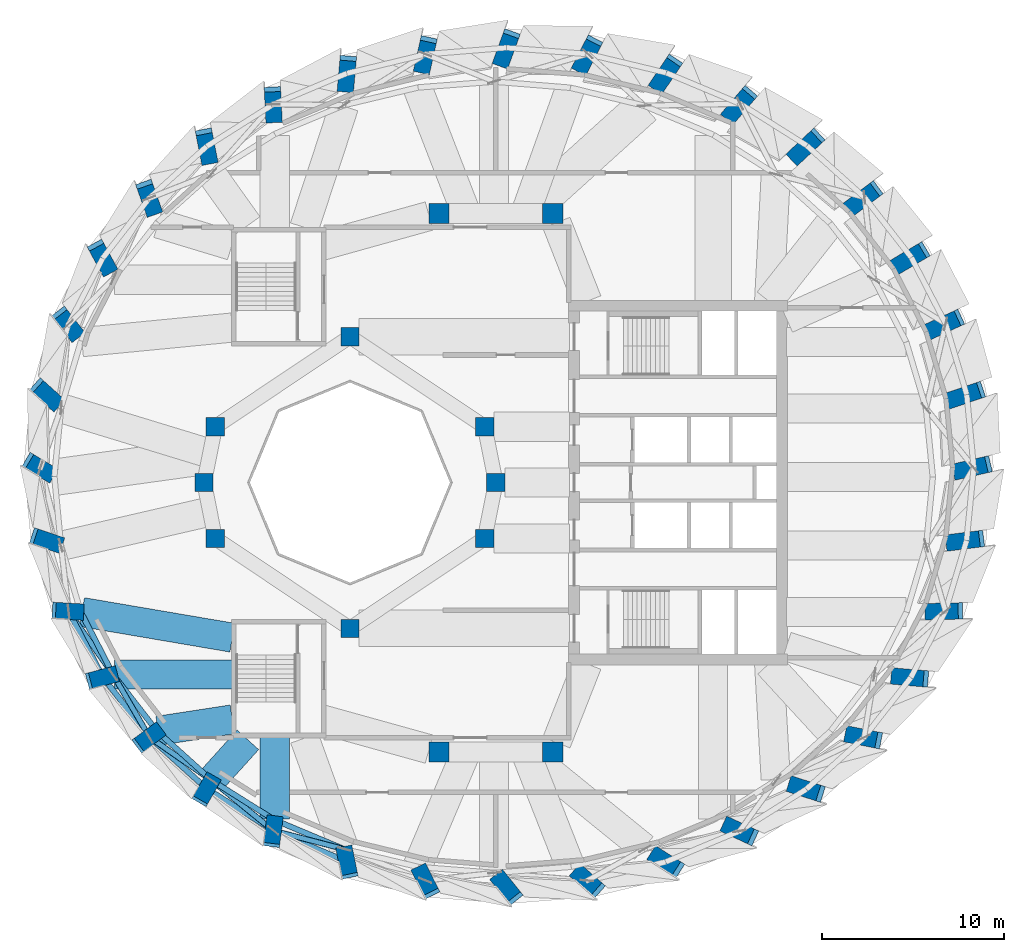
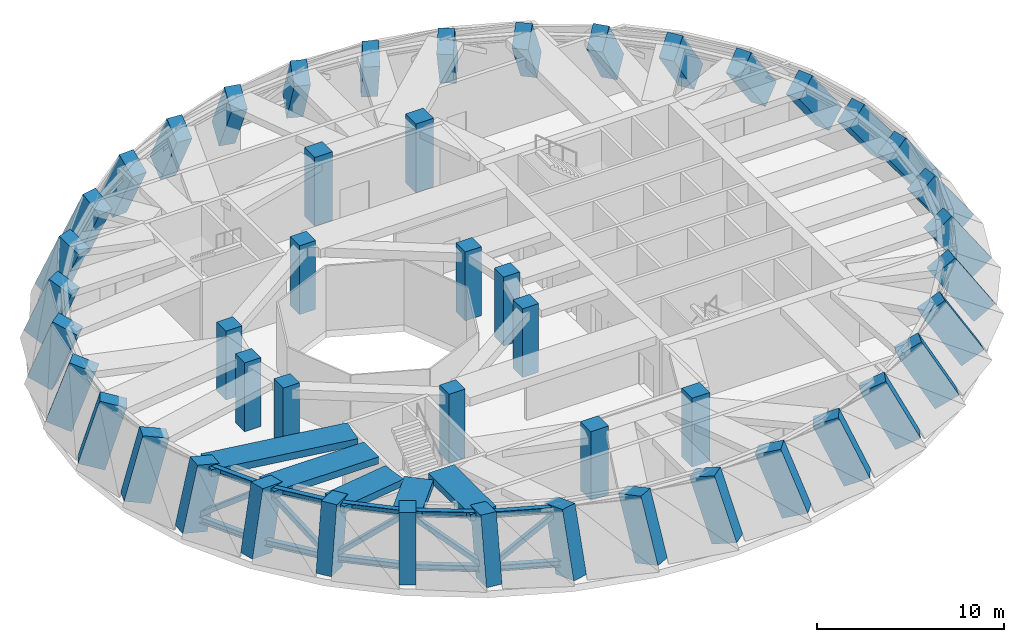
# One storey, part 1 of 14: 48 columns, 15 members, 5 beams.
"""IFC4 building model written with IfcOpenShell, lengths in metres."""

from ifc_helpers import new_model, si_unit, direction, frame, origin, origin_2d, place, context, subcontext, project, spatial, rectangle, hollow_rectangle, i_section, extrude, material, material_profile, profile_set, type_object, element, save


model = new_model("IFC4")

# Units and contexts
model_context = context("Model", 3, precision=1e-05, world=origin(), true_north=direction((0.0, 1.0)))
body_context = subcontext(model_context, "Body", "Model", "MODEL_VIEW")
ifc_project = project(units=[si_unit("LENGTHUNIT", "METRE"), si_unit("AREAUNIT", "SQUARE_METRE"), si_unit("VOLUMEUNIT", "CUBIC_METRE"), si_unit("PLANEANGLEUNIT", "RADIAN"), si_unit("MASSUNIT", "GRAM", prefix="KILO")], contexts=[model_context])

# Site, building, storey
site_placement = place(None, origin())
site = spatial("IfcSite", under=ifc_project, at=site_placement, CompositionType="ELEMENT")
building_placement = place(site_placement, origin())
building = spatial("IfcBuilding", under=site, at=building_placement, Name="Taillehof Tower", CompositionType="ELEMENT")
storey_placement = place(building_placement, frame((0.0, 0.0, 228.800048828125)))
storey = spatial("IfcBuildingStorey", under=building, at=storey_placement, Name="L65", CompositionType="ELEMENT", Elevation=228.800048828125)

# Columns
ifc_material_1 = material(Name="Concrete C50/60", Category="concrete")
ifc_material_profile_1 = material_profile(ifc_material_1, rectangle(XDim=1.0, YDim=1.0, at=origin_2d()), Name="RC 1000x1000")
ifc_profile_set_1 = profile_set([ifc_material_profile_1], Name="Concrete C50/60")
column_type_1 = type_object("IfcColumnType", Name="Atrium ring column C50/60 1000x1000", PredefinedType="COLUMN", material=ifc_profile_set_1)
for number, where, z_axis, x_axis, name in (
    (1, (0.0, 0.0, 0.0), (0.0, 0.0, 1.0), (1.0, 0.0, 0.0), "Column AC01"),
    (2, (-0.60888671875, 3.0615234375, 0.0), (0.0, 0.0, 1.0), (1.0, 0.0, 0.0), "Column AC02"),
    (3, (-8.0, 8.0, 0.0), (0.0, 0.0, 1.0), (1.0, 0.0, 0.0), "Column AC05"),
    (4, (-15.39111328125, 3.0615234375, 0.0), (0.0, 0.0, 1.0), (1.0, 0.0, 0.0), "Column AC08"),
    (5, (-16.0, 0.0, 0.0), (0.0, 0.0, 1.0), (1.0, 0.0, 0.0), "Column AC09"),
    (6, (-15.39111328125, -3.0615234375, 0.0), (0.0, 0.0, 1.0), (1.0, 0.0, 0.0), "Column AC10"),
    (7, (-8.0, -8.0, 0.0), (0.0, 0.0, 1.0), (1.0, 0.0, 0.0), "Column AC13"),
    (8, (-0.60888671875, -3.0615234375, 0.0), (0.0, 0.0, 1.0), (1.0, 0.0, 0.0), "Column AC16"),
):
    element("IfcColumn", number, at=place(storey_placement, frame(where, z_axis=z_axis, x_axis=x_axis)), inside=storey, type_object=column_type_1, Name=name, PredefinedType="COLUMN", context=body_context, shape_type="SweptSolid", body=[
        extrude(rectangle(XDim=1.0, YDim=1.0, at=origin_2d()), origin(), (0.0, 0.0, 1.0), 4.5),
    ])
ifc_material_2 = material(Name="Concrete C50/60", Category="concrete")
ifc_material_profile_2 = material_profile(ifc_material_2, rectangle(XDim=1.10009765625, YDim=1.10009765625, at=origin_2d()), Name="RC 1100x1100")
ifc_profile_set_2 = profile_set([ifc_material_profile_2], Name="Concrete C50/60")
column_type_2 = type_object("IfcColumnType", Name="Mid-ring column C50/60 1100x1100", PredefinedType="COLUMN", material=ifc_profile_set_2)
for number, where, z_axis, x_axis, name in (
    (9, (3.125732421875, 14.772216796875, 0.0), (0.0, 0.0, 1.0), (1.0, 0.0, 0.0), "Column MC05"),
    (10, (-3.125732421875, 14.772216796875, 0.0), (0.0, 0.0, 1.0), (1.0, 0.0, 0.0), "Column MC06"),
    (11, (-3.125732421875, -14.772216796875, 0.0), (0.0, 0.0, 1.0), (1.0, 0.0, 0.0), "Column MC14"),
    (12, (3.125732421875, -14.772216796875, 0.0), (0.0, 0.0, 1.0), (1.0, 0.0, 0.0), "Column MC15"),
):
    element("IfcColumn", number, at=place(storey_placement, frame(where, z_axis=z_axis, x_axis=x_axis)), inside=storey, type_object=column_type_2, Name=name, PredefinedType="COLUMN", context=body_context, shape_type="SweptSolid", body=[
        extrude(rectangle(XDim=1.10009765625, YDim=1.10009765625, at=origin_2d()), origin(), (0.0, 0.0, 1.0), 4.5),
    ])
ifc_material_3 = material(Name="Concrete C60/75", Category="concrete")
ifc_material_profile_3 = material_profile(ifc_material_3, rectangle(XDim=1.5, YDim=0.89990234375, at=origin_2d()), Name="RC 1500x900")
ifc_profile_set_3 = profile_set([ifc_material_profile_3], Name="Concrete C60/75")
column_type_3 = type_object("IfcColumnType", Name="Ring column C60/75 1500x900", PredefinedType="COLUMN", material=ifc_profile_set_3)
column_1_placement = place(storey_placement, frame((26.550048828125, 0.89990234375, 0.44580078125), z_axis=(-0.579388042956, -0.133667269628, 0.804016515197), x_axis=(0.783437770425, 0.180742403937, 0.59460696539)))
element("IfcColumn", 13, at=column_1_placement, inside=storey, type_object=column_type_3, Name="Ring column RC01", PredefinedType="COLUMN", context=body_context, shape_type="SweptSolid", body=[
    extrude(rectangle(XDim=1.5, YDim=0.89990234375, at=origin_2d()), origin(), (0.0, 0.0, 1.0), 4.487548828125),
])
column_2_placement = place(storey_placement, frame((26.1572265625, 4.937255859375, 0.452392578125), z_axis=(-0.570771694235, -0.1947351467, 0.797682829012), x_axis=(0.754952737094, 0.257573796133, 0.60307719597)))
element("IfcColumn", 14, at=column_2_placement, inside=storey, type_object=column_type_3, Name="Ring column RC02", PredefinedType="COLUMN", context=body_context, shape_type="SweptSolid", body=[
    extrude(rectangle(XDim=1.5, YDim=0.89990234375, at=origin_2d()), origin(), (0.0, 0.0, 1.0), 4.507080078125),
])
for number, where, z_axis, x_axis, name in (
    (15, (24.990966796875, 8.85205078125, 0.455322265625), (-0.551547474291, -0.253965858079, 0.794541834351), (0.72170742292, 0.332317803067, 0.607209414837), "Ring column RC03"),
    (16, (23.086669921875, 12.52490234375, 0.455322265625), (-0.522152846191, -0.309908334547, 0.794552219424), (0.683268371321, 0.405533675722, 0.607195825585), "Ring column RC04"),
):
    element("IfcColumn", number, at=place(storey_placement, frame(where, z_axis=z_axis, x_axis=x_axis)), inside=storey, type_object=column_type_3, Name=name, PredefinedType="COLUMN", context=body_context, shape_type="SweptSolid", body=[
        extrude(rectangle(XDim=1.5, YDim=0.89990234375, at=origin_2d()), origin(), (0.0, 0.0, 1.0), 4.51708984375),
    ])
column_3_placement = place(storey_placement, frame((20.502197265625, 15.8447265625, 0.452392578125), z_axis=(-0.483295497035, -0.361226015825, 0.797459232837), x_axis=(0.638756730742, 0.477421267822, 0.603372829984)))
element("IfcColumn", 17, at=column_3_placement, inside=storey, type_object=column_type_3, Name="Ring column RC05", PredefinedType="COLUMN", context=body_context, shape_type="SweptSolid", body=[
    extrude(rectangle(XDim=1.5, YDim=0.89990234375, at=origin_2d()), origin(), (0.0, 0.0, 1.0), 4.508056640625),
])
column_4_placement = place(storey_placement, frame((17.316162109375, 18.71044921875, 0.447021484375), z_axis=(-0.435800460888, -0.406551378059, 0.802990619676), x_axis=(0.587162040533, 0.54775420897, 0.595991664969)))
element("IfcColumn", 18, at=column_4_placement, inside=storey, type_object=column_type_3, Name="Ring column RC06", PredefinedType="COLUMN", context=body_context, shape_type="SweptSolid", body=[
    extrude(rectangle(XDim=1.5, YDim=0.89990234375, at=origin_2d()), origin(), (0.0, 0.0, 1.0), 4.49072265625),
])
column_5_placement = place(storey_placement, frame((13.625, 21.03515625, 0.438720703125), z_axis=(-0.380562477369, -0.444508779038, 0.810915622107), x_axis=(0.527381268549, 0.615997681619, 0.58516310019)))
element("IfcColumn", 19, at=column_5_placement, inside=storey, type_object=column_type_3, Name="Ring column RC07", PredefinedType="COLUMN", context=body_context, shape_type="SweptSolid", body=[
    extrude(rectangle(XDim=1.5, YDim=0.89990234375, at=origin_2d()), origin(), (0.0, 0.0, 1.0), 4.467041015625),
])
column_6_placement = place(storey_placement, frame((9.541259765625, 22.747802734375, 0.428466796875), z_axis=(-0.318968433634, -0.47391481707, 0.820770299479), x_axis=(0.458286187964, 0.680909431884, 0.57125836142)))
element("IfcColumn", 20, at=column_6_placement, inside=storey, type_object=column_type_3, Name="Ring column RC08", PredefinedType="COLUMN", context=body_context, shape_type="SweptSolid", body=[
    extrude(rectangle(XDim=1.5, YDim=0.89990234375, at=origin_2d()), origin(), (0.0, 0.0, 1.0), 4.4384765625),
])
column_7_placement = place(storey_placement, frame((5.188720703125, 23.796875, 0.415771484375), z_axis=(-0.252400241833, -0.49361223507, 0.832250610881), x_axis=(0.378896835448, 0.740998156137, 0.554399603796)))
element("IfcColumn", 21, at=column_7_placement, inside=storey, type_object=column_type_3, Name="Ring column RC09", PredefinedType="COLUMN", context=body_context, shape_type="SweptSolid", body=[
    extrude(rectangle(XDim=1.5, YDim=0.89990234375, at=origin_2d()), origin(), (0.0, 0.0, 1.0), 4.407958984375),
])
column_8_placement = place(storey_placement, frame((0.699951171875, 24.14990234375, 0.401123046875), z_axis=(-0.182808037354, -0.502680263839, 0.844922347808), x_axis=(0.28876757697, 0.794044747049, 0.534888984906)))
element("IfcColumn", 22, at=column_8_placement, inside=storey, type_object=column_type_3, Name="Ring column RC10", PredefinedType="COLUMN", context=body_context, shape_type="SweptSolid", body=[
    extrude(rectangle(XDim=1.5, YDim=0.89990234375, at=origin_2d()), origin(), (0.0, 0.0, 1.0), 4.37646484375),
])
column_9_placement = place(storey_placement, frame((-3.788818359375, 23.796875, 0.384765625), z_axis=(-0.112126663966, -0.500637690011, 0.85836444158), x_axis=(0.187598355207, 0.837613497797, 0.51304043255)))
element("IfcColumn", 23, at=column_9_placement, inside=storey, type_object=column_type_3, Name="Ring column RC11", PredefinedType="COLUMN", context=body_context, shape_type="SweptSolid", body=[
    extrude(rectangle(XDim=1.5, YDim=0.89990234375, at=origin_2d()), origin(), (0.0, 0.0, 1.0), 4.345947265625),
])
column_10_placement = place(storey_placement, frame((-8.14111328125, 22.747802734375, 0.36669921875), z_axis=(-0.042743243618, -0.487137284412, 0.872278786433), x_axis=(0.076244059248, 0.868940230793, 0.489008914785)))
element("IfcColumn", 24, at=column_10_placement, inside=storey, type_object=column_type_3, Name="Ring column RC12", PredefinedType="COLUMN", context=body_context, shape_type="SweptSolid", body=[
    extrude(rectangle(XDim=1.5, YDim=0.89990234375, at=origin_2d()), origin(), (0.0, 0.0, 1.0), 4.318115234375),
])
column_11_placement = place(storey_placement, frame((-12.22509765625, 21.03515625, 0.34716796875), z_axis=(0.023313963513, -0.462469427435, 0.88632865676), x_axis=(-0.044624845582, 0.885204558817, 0.463056705174)))
element("IfcColumn", 25, at=column_11_placement, inside=storey, type_object=column_type_3, Name="Ring column RC13", PredefinedType="COLUMN", context=body_context, shape_type="SweptSolid", body=[
    extrude(rectangle(XDim=1.5, YDim=0.89990234375, at=origin_2d()), origin(), (0.0, 0.0, 1.0), 4.29345703125),
])
column_12_placement = place(storey_placement, frame((-15.916015625, 18.71044921875, 0.326416015625), z_axis=(0.083530450962, -0.427250829204, 0.900266289887), x_axis=(-0.17273788383, 0.883538916062, 0.435339645902)))
element("IfcColumn", 26, at=column_12_placement, inside=storey, type_object=column_type_3, Name="Ring column RC14", PredefinedType="COLUMN", context=body_context, shape_type="SweptSolid", body=[
    extrude(rectangle(XDim=1.5, YDim=0.89990234375, at=origin_2d()), origin(), (0.0, 0.0, 1.0), 4.273193359375),
])
column_13_placement = place(storey_placement, frame((-19.102294921875, 15.8447265625, 0.304443359375), z_axis=(0.135957023528, -0.382468724981, 0.9139110253), x_axis=(-0.306105353359, 0.861123031169, 0.405914569627)))
element("IfcColumn", 27, at=column_13_placement, inside=storey, type_object=column_type_3, Name="Ring column RC15", PredefinedType="COLUMN", context=body_context, shape_type="SweptSolid", body=[
    extrude(rectangle(XDim=1.5, YDim=0.89990234375, at=origin_2d()), origin(), (0.0, 0.0, 1.0), 4.257568359375),
])
column_14_placement = place(storey_placement, frame((-21.686767578125, 12.52490234375, 0.28125), z_axis=(0.178652909801, -0.329599673358, 0.927063748154), x_axis=(-0.441773775165, 0.815035658557, 0.37490373012)))
element("IfcColumn", 28, at=column_14_placement, inside=storey, type_object=column_type_3, Name="Ring column RC16", PredefinedType="COLUMN", context=body_context, shape_type="SweptSolid", body=[
    extrude(rectangle(XDim=1.5, YDim=0.89990234375, at=origin_2d()), origin(), (0.0, 0.0, 1.0), 4.247314453125),
])
column_15_placement = place(storey_placement, frame((-23.591064453125, 8.85205078125, 0.2568359375), z_axis=(0.210086577145, -0.270390804164, 0.939549063715), x_axis=(-0.576455607912, 0.741924103418, 0.342414305883)))
element("IfcColumn", 29, at=column_15_placement, inside=storey, type_object=column_type_3, Name="Ring column RC17", PredefinedType="COLUMN", context=body_context, shape_type="SweptSolid", body=[
    extrude(rectangle(XDim=1.5, YDim=0.89990234375, at=origin_2d()), origin(), (0.0, 0.0, 1.0), 4.242919921875),
])
column_16_placement = place(storey_placement, frame((-24.75732421875, 4.937255859375, 0.2314453125), z_axis=(0.229176614244, -0.206799680775, 0.951163483064), x_axis=(-0.706165176054, 0.637214811224, 0.308687590429)))
element("IfcColumn", 30, at=column_16_placement, inside=storey, type_object=column_type_3, Name="Ring column RC18", PredefinedType="COLUMN", context=body_context, shape_type="SweptSolid", body=[
    extrude(rectangle(XDim=1.5, YDim=0.89990234375, at=origin_2d()), origin(), (0.0, 0.0, 1.0), 4.244140625),
])
column_17_placement = place(storey_placement, frame((-25.14990234375, 0.89990234375, 0.20556640625), z_axis=(0.235201925755, -0.141086702046, 0.96165201431), x_axis=(-0.824663088716, 0.494677052972, 0.27427249839)))
element("IfcColumn", 31, at=column_17_placement, inside=storey, type_object=column_type_3, Name="Ring column RC19", PredefinedType="COLUMN", context=body_context, shape_type="SweptSolid", body=[
    extrude(rectangle(XDim=1.5, YDim=0.89990234375, at=origin_2d()), origin(), (0.0, 0.0, 1.0), 4.251708984375),
])
column_18_placement = place(storey_placement, frame((-24.75732421875, -3.13720703125, 0.18017578125), z_axis=(0.228078091677, -0.075568042423, 0.970705854037), x_axis=(-0.921446013342, 0.305298377915, 0.240270982307)))
element("IfcColumn", 32, at=column_18_placement, inside=storey, type_object=column_type_3, Name="Ring column RC20", PredefinedType="COLUMN", context=body_context, shape_type="SweptSolid", body=[
    extrude(rectangle(XDim=1.5, YDim=0.89990234375, at=origin_2d()), origin(), (0.0, 0.0, 1.0), 4.2646484375),
])
column_19_placement = place(storey_placement, frame((-23.591064453125, -7.052001953125, 0.156494140625), z_axis=(0.208204450903, -0.012317765378, 0.978007760337), x_axis=(-0.976300664505, 0.057759776372, 0.208568503662)))
element("IfcColumn", 33, at=column_19_placement, inside=storey, type_object=column_type_3, Name="Ring column RC21", PredefinedType="COLUMN", context=body_context, shape_type="SweptSolid", body=[
    extrude(rectangle(XDim=1.5, YDim=0.89990234375, at=origin_2d()), origin(), (0.0, 0.0, 1.0), 4.28125),
])
column_20_placement = place(storey_placement, frame((-21.686767578125, -10.72509765625, 0.136962890625), z_axis=(0.17653160293, 0.046575262034, 0.983192421723), x_axis=(-0.950661680731, -0.250818075354, 0.182572346938)))
element("IfcColumn", 34, at=column_20_placement, inside=storey, type_object=column_type_3, Name="Ring column RC22", PredefinedType="COLUMN", context=body_context, shape_type="SweptSolid", body=[
    extrude(rectangle(XDim=1.5, YDim=0.89990234375, at=origin_2d()), origin(), (0.0, 0.0, 1.0), 4.29833984375),
])
for number, where, z_axis, x_axis, name in (
    (35, (-19.102294921875, -14.044921875, 0.125244140625), (0.13430987924, 0.099415368227, 0.985939876919), (-0.792466261243, -0.586578780464, 0.167100446143), "Ring column RC23"),
    (36, (-15.916015625, -16.91064453125, 0.125244140625), (0.082817185967, 0.145184984702, 0.985932367825), (-0.488511582154, -0.856398895391, 0.167144745877), "Ring column RC24"),
):
    element("IfcColumn", number, at=place(storey_placement, frame(where, z_axis=z_axis, x_axis=x_axis)), inside=storey, type_object=column_type_3, Name=name, PredefinedType="COLUMN", context=body_context, shape_type="SweptSolid", body=[
        extrude(rectangle(XDim=1.5, YDim=0.89990234375, at=origin_2d()), origin(), (0.0, 0.0, 1.0), 4.309814453125),
    ])
column_21_placement = place(storey_placement, frame((-12.22509765625, -19.235107421875, 0.13818359375), z_axis=(0.023293438415, 0.182825084924, 0.982869474574), x_axis=(-0.124221578206, -0.974987899185, 0.184303000384)))
element("IfcColumn", 37, at=column_21_placement, inside=storey, type_object=column_type_3, Name="Ring column RC25", PredefinedType="COLUMN", context=body_context, shape_type="SweptSolid", body=[
    extrude(rectangle(XDim=1.5, YDim=0.89990234375, at=origin_2d()), origin(), (0.0, 0.0, 1.0), 4.29736328125),
])
column_22_placement = place(storey_placement, frame((-8.14111328125, -20.94775390625, 0.16162109375), z_axis=(-0.043151050441, 0.21118900348, 0.976492289603), x_axis=(0.195482310117, -0.956725591842, 0.215552333193)))
element("IfcColumn", 38, at=column_22_placement, inside=storey, type_object=column_type_3, Name="Ring column RC26", PredefinedType="COLUMN", context=body_context, shape_type="SweptSolid", body=[
    extrude(rectangle(XDim=1.5, YDim=0.89990234375, at=origin_2d()), origin(), (0.0, 0.0, 1.0), 4.27734375),
])
column_23_placement = place(storey_placement, frame((-3.788818359375, -21.996826171875, 0.192138671875), z_axis=(-0.114449806757, 0.229186311427, 0.966630682519), x_axis=(0.431857605854, -0.864797019337, 0.256174010415)))
element("IfcColumn", 39, at=column_23_placement, inside=storey, type_object=column_type_3, Name="Ring column RC27", PredefinedType="COLUMN", context=body_context, shape_type="SweptSolid", body=[
    extrude(rectangle(XDim=1.5, YDim=0.89990234375, at=origin_2d()), origin(), (0.0, 0.0, 1.0), 4.2578125),
])
column_24_placement = place(storey_placement, frame((0.699951171875, -22.35009765625, 0.22607421875), z_axis=(-0.188451888787, 0.235550484123, 0.953415887764), x_axis=(0.59561634852, -0.744474996502, 0.301658987863)))
element("IfcColumn", 40, at=column_24_placement, inside=storey, type_object=column_type_3, Name="Ring column RC28", PredefinedType="COLUMN", context=body_context, shape_type="SweptSolid", body=[
    extrude(rectangle(XDim=1.5, YDim=0.89990234375, at=origin_2d()), origin(), (0.0, 0.0, 1.0), 4.245361328125),
])
column_25_placement = place(storey_placement, frame((5.188720703125, -21.996826171875, 0.261474609375), z_axis=(-0.262193858169, 0.229973414769, 0.937212147402), x_axis=(0.704586010941, -0.618000940472, 0.348759789485)))
element("IfcColumn", 41, at=column_25_placement, inside=storey, type_object=column_type_3, Name="Ring column RC29", PredefinedType="COLUMN", context=body_context, shape_type="SweptSolid", body=[
    extrude(rectangle(XDim=1.5, YDim=0.89990234375, at=origin_2d()), origin(), (0.0, 0.0, 1.0), 4.2431640625),
])
column_26_placement = place(storey_placement, frame((9.541259765625, -20.94775390625, 0.296142578125), z_axis=(-0.332863590702, 0.212380632108, 0.918747134467), x_axis=(0.774522566894, -0.494177185292, 0.394846429526)))
element("IfcColumn", 42, at=column_26_placement, inside=storey, type_object=column_type_3, Name="Ring column RC30", PredefinedType="COLUMN", context=body_context, shape_type="SweptSolid", body=[
    extrude(rectangle(XDim=1.5, YDim=0.89990234375, at=origin_2d()), origin(), (0.0, 0.0, 1.0), 4.25341796875),
])
column_27_placement = place(storey_placement, frame((13.625, -19.235107421875, 0.32861328125), z_axis=(-0.39766730526, 0.183784775, 0.898934853482), x_axis=(0.816004150507, -0.377122124994, 0.438082331526)))
element("IfcColumn", 43, at=column_27_placement, inside=storey, type_object=column_type_3, Name="Ring column RC31", PredefinedType="COLUMN", context=body_context, shape_type="SweptSolid", body=[
    extrude(rectangle(XDim=1.5, YDim=0.89990234375, at=origin_2d()), origin(), (0.0, 0.0, 1.0), 4.27490234375),
])
column_28_placement = place(storey_placement, frame((17.316162109375, -16.91064453125, 0.35791015625), z_axis=(-0.454490695447, 0.145316822908, 0.878818086257), x_axis=(0.837071803871, -0.267641595973, 0.477156967117)))
element("IfcColumn", 44, at=column_28_placement, inside=storey, type_object=column_type_3, Name="Ring column RC32", PredefinedType="COLUMN", context=body_context, shape_type="SweptSolid", body=[
    extrude(rectangle(XDim=1.5, YDim=0.89990234375, at=origin_2d()), origin(), (0.0, 0.0, 1.0), 4.305908203125),
])
column_29_placement = place(storey_placement, frame((20.502197265625, -14.044921875, 0.38330078125), z_axis=(-0.50159179073, 0.098643387801, 0.859462132682), x_axis=(0.843309160891, -0.165845761695, 0.511199415576)))
element("IfcColumn", 45, at=column_29_placement, inside=storey, type_object=column_type_3, Name="Ring column RC33", PredefinedType="COLUMN", context=body_context, shape_type="SweptSolid", body=[
    extrude(rectangle(XDim=1.5, YDim=0.89990234375, at=origin_2d()), origin(), (0.0, 0.0, 1.0), 4.343505859375),
])
column_30_placement = place(storey_placement, frame((23.086669921875, -10.72509765625, 0.405029296875), z_axis=(-0.538018751555, 0.045665601519, 0.841695001656), x_axis=(0.838679431341, -0.07118488083, 0.539953261113)))
element("IfcColumn", 46, at=column_30_placement, inside=storey, type_object=column_type_3, Name="Ring column RC34", PredefinedType="COLUMN", context=body_context, shape_type="SweptSolid", body=[
    extrude(rectangle(XDim=1.5, YDim=0.89990234375, at=origin_2d()), origin(), (0.0, 0.0, 1.0), 4.384033203125),
])
column_31_placement = place(storey_placement, frame((24.990966796875, -7.052001953125, 0.42236328125), z_axis=(-0.563202605976, -0.011920799891, 0.826232848023), x_axis=(0.826047832549, 0.017484206941, 0.563328750241)))
element("IfcColumn", 47, at=column_31_placement, inside=storey, type_object=column_type_3, Name="Ring column RC35", PredefinedType="COLUMN", context=body_context, shape_type="SweptSolid", body=[
    extrude(rectangle(XDim=1.5, YDim=0.89990234375, at=origin_2d()), origin(), (0.0, 0.0, 1.0), 4.423828125),
])
column_32_placement = place(storey_placement, frame((26.1572265625, -3.13720703125, 0.43603515625), z_axis=(-0.57691287093, -0.072271518423, 0.813602093766), x_axis=(0.807292219039, 0.101131795495, 0.581422078201)))
element("IfcColumn", 48, at=column_32_placement, inside=storey, type_object=column_type_3, Name="Ring column RC36", PredefinedType="COLUMN", context=body_context, shape_type="SweptSolid", body=[
    extrude(rectangle(XDim=1.5, YDim=0.89990234375, at=origin_2d()), origin(), (0.0, 0.0, 1.0), 4.458984375),
])

# Members
ifc_material_4 = material(Name="Steel S460M", Category="steel")
ifc_material_profile_4 = material_profile(ifc_material_4, i_section(OverallWidth=0.300048828125, OverallDepth=0.39990234375, WebThickness=0.013427734375, FlangeThickness=0.02392578125, FilletRadius=0.027099609375, at=origin_2d()), Name="HEB 400")
ifc_profile_set_4 = profile_set([ifc_material_profile_4], Name="Steel S460M")
member_type_1 = type_object("IfcMemberType", Name="Belt truss chord HEB 400", PredefinedType="CHORD", material=ifc_profile_set_4)
member_1_placement = place(storey_placement, frame((-23.432861328125, -7.061279296875, 0.89990234375), z_axis=(0.460709410473, -0.887551034646, 0.0), x_axis=(0.887551034646, 0.460709410473, 0.0)))
element("IfcMember", 49, at=member_1_placement, inside=storey, type_object=member_type_1, Name="Belt truss bottom chord BB21", PredefinedType="CHORD", context=body_context, shape_type="SweptSolid", body=[
    extrude(i_section(OverallWidth=0.300048828125, OverallDepth=0.39990234375, WebThickness=0.013427734375, FlangeThickness=0.02392578125, FilletRadius=0.027099609375, at=origin_2d()), origin(), (0.0, 0.0, 1.0), 4.08740234375),
])
member_2_placement = place(storey_placement, frame((-22.7685546875, -7.1005859375, 4.02001953125), z_axis=(0.459299456091, -0.888281492341, 0.0), x_axis=(0.888281492341, 0.459299456091, 0.0)))
element("IfcMember", 50, at=member_2_placement, inside=storey, type_object=member_type_1, Name="Belt truss top chord BT21", PredefinedType="CHORD", context=body_context, shape_type="SweptSolid", body=[
    extrude(i_section(OverallWidth=0.300048828125, OverallDepth=0.39990234375, WebThickness=0.013427734375, FlangeThickness=0.02392578125, FilletRadius=0.027099609375, at=origin_2d()), origin(), (0.0, 0.0, 1.0), 3.873291015625),
])
member_3_placement = place(storey_placement, frame((-21.5498046875, -10.68896484375, 0.89990234375), z_axis=(0.614473399007, -0.788937539932, 0.0), x_axis=(0.788937539932, 0.614473399007, 0.0)))
element("IfcMember", 51, at=member_3_placement, inside=storey, type_object=member_type_1, Name="Belt truss bottom chord BB22", PredefinedType="CHORD", context=body_context, shape_type="SweptSolid", body=[
    extrude(i_section(OverallWidth=0.300048828125, OverallDepth=0.39990234375, WebThickness=0.013427734375, FlangeThickness=0.02392578125, FilletRadius=0.027099609375, at=origin_2d()), origin(), (0.0, 0.0, 1.0), 4.15478515625),
])
member_4_placement = place(storey_placement, frame((-20.989501953125, -10.541259765625, 4.02001953125), z_axis=(0.613653144104, -0.789575720708, 0.0), x_axis=(0.789575720708, 0.613653144104, 0.0)))
element("IfcMember", 52, at=member_4_placement, inside=storey, type_object=member_type_1, Name="Belt truss top chord BT22", PredefinedType="CHORD", context=body_context, shape_type="SweptSolid", body=[
    extrude(i_section(OverallWidth=0.300048828125, OverallDepth=0.39990234375, WebThickness=0.013427734375, FlangeThickness=0.02392578125, FilletRadius=0.027099609375, at=origin_2d()), origin(), (0.0, 0.0, 1.0), 3.93994140625),
])
member_5_placement = place(storey_placement, frame((-18.996826171875, -13.966796875, 0.89990234375), z_axis=(0.743480610355, -0.668757491192, 0.0), x_axis=(0.668757491192, 0.743480610355, 0.0)))
element("IfcMember", 53, at=member_5_placement, inside=storey, type_object=member_type_1, Name="Belt truss bottom chord BB23", PredefinedType="CHORD", context=body_context, shape_type="SweptSolid", body=[
    extrude(i_section(OverallWidth=0.300048828125, OverallDepth=0.39990234375, WebThickness=0.013427734375, FlangeThickness=0.02392578125, FilletRadius=0.027099609375, at=origin_2d()), origin(), (0.0, 0.0, 1.0), 4.231201171875),
])
member_6_placement = place(storey_placement, frame((-18.57177734375, -13.652099609375, 4.02001953125), z_axis=(0.743239697881, -0.669025224856, 0.0), x_axis=(0.669025224856, 0.743239697881, 0.0)))
element("IfcMember", 54, at=member_6_placement, inside=storey, type_object=member_type_1, Name="Belt truss top chord BT23", PredefinedType="CHORD", context=body_context, shape_type="SweptSolid", body=[
    extrude(i_section(OverallWidth=0.300048828125, OverallDepth=0.39990234375, WebThickness=0.013427734375, FlangeThickness=0.02392578125, FilletRadius=0.027099609375, at=origin_2d()), origin(), (0.0, 0.0, 1.0), 4.013427734375),
])
member_7_placement = place(storey_placement, frame((-15.85107421875, -16.79638671875, 0.89990234375), z_axis=(0.845947835308, -0.533265656064, 0.0), x_axis=(0.533265656064, 0.845947835308, 0.0)))
element("IfcMember", 55, at=member_7_placement, inside=storey, type_object=member_type_1, Name="Belt truss bottom chord BB24", PredefinedType="CHORD", context=body_context, shape_type="SweptSolid", body=[
    extrude(i_section(OverallWidth=0.300048828125, OverallDepth=0.39990234375, WebThickness=0.013427734375, FlangeThickness=0.02392578125, FilletRadius=0.027099609375, at=origin_2d()), origin(), (0.0, 0.0, 1.0), 4.3076171875),
])
member_8_placement = place(storey_placement, frame((-15.5888671875, -16.337158203125, 4.02001953125), z_axis=(0.84624382186, -0.532795827652, 0.0), x_axis=(0.532795827652, 0.84624382186, 0.0)))
element("IfcMember", 56, at=member_8_placement, inside=storey, type_object=member_type_1, Name="Belt truss top chord BT24", PredefinedType="CHORD", context=body_context, shape_type="SweptSolid", body=[
    extrude(i_section(OverallWidth=0.300048828125, OverallDepth=0.39990234375, WebThickness=0.013427734375, FlangeThickness=0.02392578125, FilletRadius=0.027099609375, at=origin_2d()), origin(), (0.0, 0.0, 1.0), 4.083740234375),
])
member_9_placement = place(storey_placement, frame((-12.20703125, -19.093505859375, 0.89990234375), z_axis=(0.921930294267, -0.38735582158, 0.0), x_axis=(0.38735582158, 0.921930294267, 0.0)))
element("IfcMember", 57, at=member_9_placement, inside=storey, type_object=member_type_1, Name="Belt truss bottom chord BB25", PredefinedType="CHORD", context=body_context, shape_type="SweptSolid", body=[
    extrude(i_section(OverallWidth=0.300048828125, OverallDepth=0.39990234375, WebThickness=0.013427734375, FlangeThickness=0.02392578125, FilletRadius=0.027099609375, at=origin_2d()), origin(), (0.0, 0.0, 1.0), 4.374755859375),
])
member_10_placement = place(storey_placement, frame((-12.133056640625, -18.512939453125, 4.02001953125), z_axis=(0.922386797692, -0.386267517976, 0.0), x_axis=(0.386267517976, 0.922386797692, 0.0)))
element("IfcMember", 58, at=member_10_placement, inside=storey, type_object=member_type_1, Name="Belt truss top chord BT25", PredefinedType="CHORD", context=body_context, shape_type="SweptSolid", body=[
    extrude(i_section(OverallWidth=0.300048828125, OverallDepth=0.39990234375, WebThickness=0.013427734375, FlangeThickness=0.02392578125, FilletRadius=0.027099609375, at=origin_2d()), origin(), (0.0, 0.0, 1.0), 4.14306640625),
])
ifc_material_5 = material(Name="Steel S460M", Category="steel")
ifc_material_profile_5 = material_profile(ifc_material_5, hollow_rectangle(XDim=0.300048828125, YDim=0.300048828125, WallThickness=0.012451171875, InnerFilletRadius=0.012451171875, OuterFilletRadius=0.018798828125, at=origin_2d()), Name="RHS 300x300x12.5")
ifc_profile_set_5 = profile_set([ifc_material_profile_5], Name="Steel S460M")
member_type_2 = type_object("IfcMemberType", Name="Belt truss diagonal RHS 300x300x12.5", PredefinedType="BRACE", material=ifc_profile_set_5)
member_11_placement = place(storey_placement, frame((-23.432861328125, -7.061279296875, 0.89990234375), z_axis=(0.463281215142, -0.659833177522, 0.591600112862), x_axis=(0.818416471598, 0.574625511979, 0.0)))
element("IfcMember", 59, at=member_11_placement, inside=storey, type_object=member_type_2, Name="Belt truss diagonal BX21", PredefinedType="BRACE", context=body_context, shape_type="SweptSolid", body=[
    extrude(hollow_rectangle(XDim=0.300048828125, YDim=0.300048828125, WallThickness=0.012451171875, InnerFilletRadius=0.012451171875, OuterFilletRadius=0.018798828125, at=origin_2d()), origin(), (0.0, 0.0, 1.0), 5.27392578125),
])
member_12_placement = place(storey_placement, frame((-20.989501953125, -10.541259765625, 4.02001953125), z_axis=(0.395072177158, -0.679154339341, -0.618601130124), x_axis=(0.864388259192, 0.50282495699, 0.0)))
element("IfcMember", 60, at=member_12_placement, inside=storey, type_object=member_type_2, Name="Belt truss diagonal BX22", PredefinedType="BRACE", context=body_context, shape_type="SweptSolid", body=[
    extrude(hollow_rectangle(XDim=0.300048828125, YDim=0.300048828125, WallThickness=0.012451171875, InnerFilletRadius=0.012451171875, OuterFilletRadius=0.018798828125, at=origin_2d()), origin(), (0.0, 0.0, 1.0), 5.0439453125),
])
member_13_placement = place(storey_placement, frame((-18.996826171875, -13.966796875, 0.89990234375), z_axis=(0.656251886733, -0.456447422329, 0.600823777666), x_axis=(0.571000730329, 0.820949551412, 0.0)))
element("IfcMember", 61, at=member_13_placement, inside=storey, type_object=member_type_2, Name="Belt truss diagonal BX23", PredefinedType="BRACE", context=body_context, shape_type="SweptSolid", body=[
    extrude(hollow_rectangle(XDim=0.300048828125, YDim=0.300048828125, WallThickness=0.012451171875, InnerFilletRadius=0.012451171875, OuterFilletRadius=0.018798828125, at=origin_2d()), origin(), (0.0, 0.0, 1.0), 5.193115234375),
])
member_14_placement = place(storey_placement, frame((-15.5888671875, -16.337158203125, 4.02001953125), z_axis=(0.630502986337, -0.513888154472, -0.581708646071), x_axis=(0.631780065829, 0.775147694585, 0.0)))
element("IfcMember", 62, at=member_14_placement, inside=storey, type_object=member_type_2, Name="Belt truss diagonal BX24", PredefinedType="BRACE", context=body_context, shape_type="SweptSolid", body=[
    extrude(hollow_rectangle(XDim=0.300048828125, YDim=0.300048828125, WallThickness=0.012451171875, InnerFilletRadius=0.012451171875, OuterFilletRadius=0.018798828125, at=origin_2d()), origin(), (0.0, 0.0, 1.0), 5.36376953125),
])
member_15_placement = place(storey_placement, frame((-12.20703125, -19.093505859375, 0.89990234375), z_axis=(0.76470678718, -0.200186779271, 0.612493904497), x_axis=(0.253248617055, 0.967401229046, 0.0)))
element("IfcMember", 63, at=member_15_placement, inside=storey, type_object=member_type_2, Name="Belt truss diagonal BX25", PredefinedType="BRACE", context=body_context, shape_type="SweptSolid", body=[
    extrude(hollow_rectangle(XDim=0.300048828125, YDim=0.300048828125, WallThickness=0.012451171875, InnerFilletRadius=0.012451171875, OuterFilletRadius=0.018798828125, at=origin_2d()), origin(), (0.0, 0.0, 1.0), 5.09423828125),
])

# Beams
ifc_material_6 = material(Name="Concrete C50/60", Category="concrete")
ifc_material_profile_6 = material_profile(ifc_material_6, rectangle(XDim=1.60009765625, YDim=0.449951171875, at=origin_2d()), Name="RC 1600x450")
ifc_profile_set_6 = profile_set([ifc_material_profile_6], Name="Concrete C50/60")
beam_type = type_object("IfcBeamType", Name="Radial band beam C50/60 1600x450", PredefinedType="BEAM", material=ifc_profile_set_6)
beam_1_placement = place(storey_placement, frame((-22.69970703125, -7.104736328125, 3.994873046875), z_axis=(0.985831539654, -0.167738413681, 0.0), x_axis=(0.167738413681, 0.985831539654, 0.0)))
element("IfcBeam", 64, at=beam_1_placement, inside=storey, type_object=beam_type, Name="Radial band beam RB21", PredefinedType="BEAM", context=body_context, shape_type="SweptSolid", body=[
    extrude(rectangle(XDim=1.60009765625, YDim=0.449951171875, at=origin_2d()), origin(), (0.0, 0.0, 1.0), 8.36767578125),
])
beam_2_placement = place(storey_placement, frame((-20.927978515625, -10.52490234375, 3.994873046875), z_axis=(1.0, 0.0, 0.0), x_axis=(0.0, 1.0, 0.0)))
element("IfcBeam", 65, at=beam_2_placement, inside=storey, type_object=beam_type, Name="Radial band beam RB22", PredefinedType="BEAM", context=body_context, shape_type="SweptSolid", body=[
    extrude(rectangle(XDim=1.60009765625, YDim=0.449951171875, at=origin_2d()), origin(), (0.0, 0.0, 1.0), 6.47802734375),
])
beam_3_placement = place(storey_placement, frame((-18.5234375, -13.616455078125, 3.994873046875), z_axis=(0.988464673512, 0.151451606852, 0.0), x_axis=(-0.151451606852, 0.988464673512, 0.0)))
element("IfcBeam", 66, at=beam_3_placement, inside=storey, type_object=beam_type, Name="Radial band beam RB23", PredefinedType="BEAM", context=body_context, shape_type="SweptSolid", body=[
    extrude(rectangle(XDim=1.60009765625, YDim=0.449951171875, at=origin_2d()), origin(), (0.0, 0.0, 1.0), 4.120361328125),
])
beam_4_placement = place(storey_placement, frame((-15.55908203125, -16.284912109375, 3.994873046875), z_axis=(0.669439419649, 0.742866652516, 0.0), x_axis=(-0.742866652516, 0.669439419649, 0.0)))
element("IfcBeam", 67, at=beam_4_placement, inside=storey, type_object=beam_type, Name="Radial band beam RB24", PredefinedType="BEAM", context=body_context, shape_type="SweptSolid", body=[
    extrude(rectangle(XDim=1.60009765625, YDim=0.449951171875, at=origin_2d()), origin(), (0.0, 0.0, 1.0), 2.926025390625),
])
beam_5_placement = place(storey_placement, frame((-12.125, -18.449462890625, 3.994873046875), z_axis=(0.0, 1.0, 0.0), x_axis=(-1.0, 0.0, 0.0)))
element("IfcBeam", 68, at=beam_5_placement, inside=storey, type_object=beam_type, Name="Radial band beam RB25", PredefinedType="BEAM", context=body_context, shape_type="SweptSolid", body=[
    extrude(rectangle(XDim=1.60009765625, YDim=0.449951171875, at=origin_2d()), origin(), (0.0, 0.0, 1.0), 4.49951171875),
])

save(model, "model.ifc")
